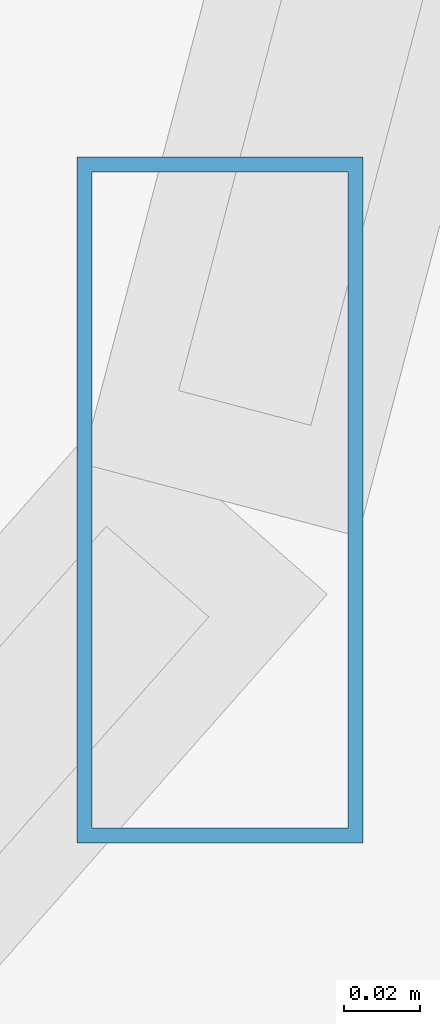
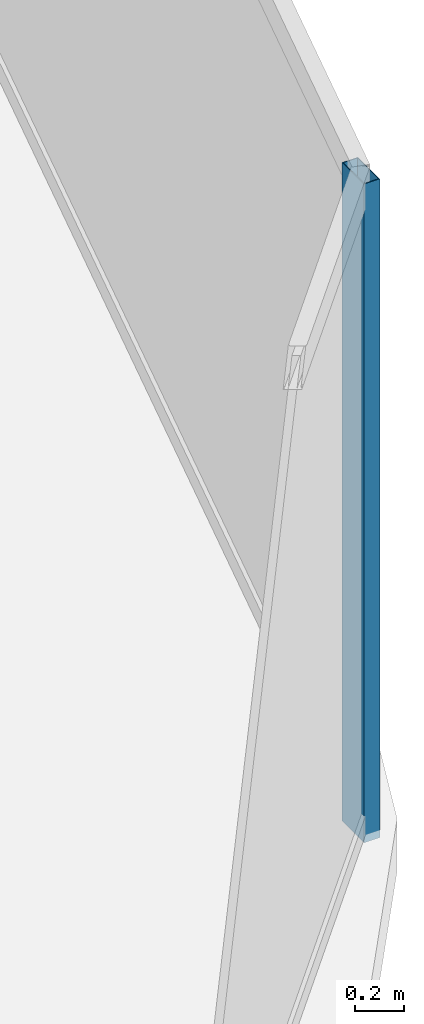
# One storey, part 13 of 29: 1 member, 1 element without a shape of its own.
"""IFC4 building model written with IfcOpenShell, lengths in metres."""

from ifc_helpers import new_model, si_unit, direction, frame, origin, origin_2d, place, context, subcontext, project, spatial, hollow_rectangle, extrude, material, material_profile, profile_set, type_object, element, aggregate, save


model = new_model("IFC4")

# Units and contexts
model_context = context("Model", 3, precision=1e-05, world=origin(), true_north=direction((0.0, 1.0)))
body_context = subcontext(model_context, "Body", "Model", "MODEL_VIEW")
ifc_project = project(units=[si_unit("LENGTHUNIT", "METRE"), si_unit("AREAUNIT", "SQUARE_METRE"), si_unit("VOLUMEUNIT", "CUBIC_METRE"), si_unit("PLANEANGLEUNIT", "RADIAN"), si_unit("MASSUNIT", "GRAM", prefix="KILO")], contexts=[model_context])

# Site, building, storey
site_placement = place(None, origin())
site = spatial("IfcSite", under=ifc_project, at=site_placement, CompositionType="ELEMENT")
building_placement = place(site_placement, origin())
building = spatial("IfcBuilding", under=site, at=building_placement, Name="Vorneva Point Tower", CompositionType="ELEMENT")
storey_placement = place(building_placement, frame((0.0, 0.0, 117.300048828125)))
storey = spatial("IfcBuildingStorey", under=building, at=storey_placement, Name="L31", CompositionType="ELEMENT", Elevation=117.300048828125)

# Curtain wall, member
ifc_material = material(Name="Pale anodised aluminium", Category="aluminium")
curtain_wall_type = type_object("IfcCurtainWallType", Name="CW-HTL-SYS", PredefinedType="NOTDEFINED", material=ifc_material)
curtain_wall_placement = place(storey_placement, origin())
curtain_wall = element("IfcCurtainWall", 1, at=curtain_wall_placement, inside=storey, type_object=curtain_wall_type, Name="L31 Unitised Curtain Wall CW-L31-R04", PredefinedType="NOTDEFINED")
ifc_material_profile = material_profile(ifc_material, hollow_rectangle(XDim=0.074951171875, YDim=0.179931640625, WallThickness=0.00390625, at=origin_2d()), Name="AL-MUL 180x75x4")
ifc_profile_set = profile_set([ifc_material_profile], Name="Pale anodised aluminium")
member_type = type_object("IfcMemberType", Name="CW-MUL-180", PredefinedType="MULLION", material=ifc_profile_set)
member_placement = place(storey_placement, frame((62.251708984375, 18.40380859375, -0.0400390625), z_axis=(0.0, 0.0, 1.0), x_axis=(1.0, 0.0, 0.0)))
member = element("IfcMember", 2, at=member_placement, type_object=member_type, Name="CW-L31-R04 Mullion 02", PredefinedType="MULLION", context=body_context, shape_type="SweptSolid", body=[
    extrude(hollow_rectangle(XDim=0.074951171875, YDim=0.179931640625, WallThickness=0.00390625, at=origin_2d()), origin(), (0.0, 0.0, 1.0), 3.31005859375),
])
aggregate(curtain_wall, [member])

save(model, "model.ifc")
